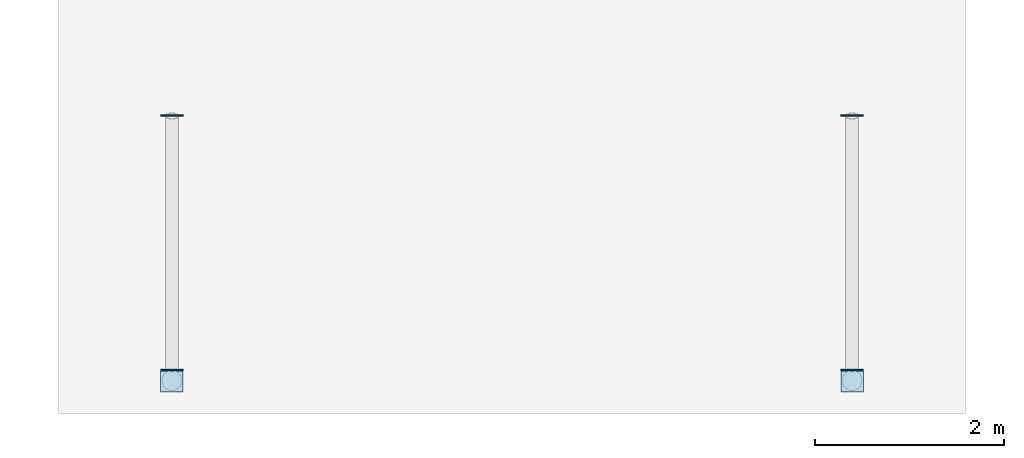
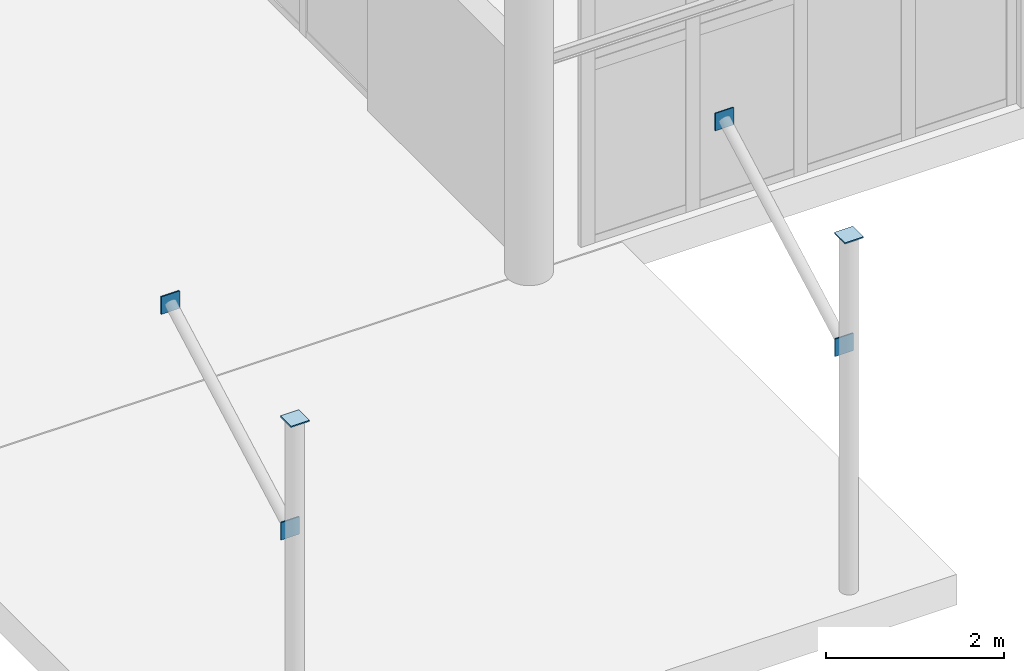
# One storey, part 48 of 85: 6 plates.
"""IFC4 building model written with IfcOpenShell, lengths in metres."""

from ifc_helpers import new_model, si_unit, direction, frame, origin, origin_2d, place, context, subcontext, project, spatial, rectangle, extrude, material, layer, layer_set, type_object, element, save


model = new_model("IFC4")

# Units and contexts
model_context = context("Model", 3, precision=1e-05, world=origin(), true_north=direction((0.0, 1.0)))
body_context = subcontext(model_context, "Body", "Model", "MODEL_VIEW")
ifc_project = project(units=[si_unit("LENGTHUNIT", "METRE"), si_unit("AREAUNIT", "SQUARE_METRE"), si_unit("VOLUMEUNIT", "CUBIC_METRE"), si_unit("PLANEANGLEUNIT", "RADIAN"), si_unit("MASSUNIT", "GRAM", prefix="KILO")], contexts=[model_context])

# Site, building, storey
site_placement = place(None, origin())
site = spatial("IfcSite", under=ifc_project, at=site_placement, CompositionType="ELEMENT")
building_placement = place(site_placement, origin())
building = spatial("IfcBuilding", under=site, at=building_placement, Name="Ochrevale Crest", CompositionType="ELEMENT")
storey_placement = place(building_placement, origin())
storey = spatial("IfcBuildingStorey", under=building, at=storey_placement, Name="L00", CompositionType="ELEMENT", Elevation=0.0)

# Plates
ifc_material = material(Name="Steel S355", Category="steel")
ifc_layer = layer(ifc_material, 0.01611328125)
ifc_layer_set = layer_set([ifc_layer], Name="Steel S355")
plate_type = type_object("IfcPlateType", Name="PLT-CAP-EXT-16", PredefinedType="USERDEFINED", material=ifc_layer_set)
for number, where, z_axis, x_axis, name in (
    (1, (79.199951171875, 0.0, 4.85986328125), (0.0, 0.0, 1.0), (1.0, 0.0, 0.0), "Parabolic entrance canopy south boulevard CHS column welded end cap plate CE"),
    (2, (86.39990234375, 0.0, 4.85986328125), (0.0, 0.0, 1.0), (1.0, 0.0, 0.0), "Parabolic entrance canopy south boulevard CHS column welded end cap plate CE"),
):
    element("IfcPlate", number, at=place(storey_placement, frame(where, z_axis=z_axis, x_axis=x_axis)), inside=storey, type_object=plate_type, Name=name, ObjectType="CAP PLATE", PredefinedType="USERDEFINED", context=body_context, shape_type="SweptSolid", body=[
        extrude(rectangle(XDim=0.239990234375, YDim=0.239990234375, at=origin_2d()), origin(), (0.0, 0.0, 1.0), 0.01611328125),
    ])
for number, where, z_axis, x_axis, name in (
    (3, (79.199951171875, 0.113037109375, 3.17626953125), (0.0, 0.0, 1.0), (0.0, 1.0, 0.0), "Entrance canopy knee brace welded end cap plate CS"),
    (4, (79.199951171875, 2.80712890625, 4.64404296875), (0.0, 0.0, 1.0), (0.0, 1.0, 0.0), "Entrance canopy knee brace welded end cap plate CE"),
    (5, (86.39990234375, 0.113037109375, 3.17626953125), (0.0, 0.0, 1.0), (0.0, 1.0, 0.0), "Entrance canopy knee brace welded end cap plate CS"),
    (6, (86.39990234375, 2.80712890625, 4.64404296875), (0.0, 0.0, 1.0), (0.0, 1.0, 0.0), "Entrance canopy knee brace welded end cap plate CE"),
):
    element("IfcPlate", number, at=place(storey_placement, frame(where, z_axis=z_axis, x_axis=x_axis)), inside=storey, type_object=plate_type, Name=name, ObjectType="CAP PLATE", PredefinedType="USERDEFINED", context=body_context, shape_type="SweptSolid", body=[
        extrude(rectangle(XDim=0.01611328125, YDim=0.239990234375, at=origin_2d()), origin(), (0.0, 0.0, 1.0), 0.239990234375),
    ])

save(model, "model.ifc")
